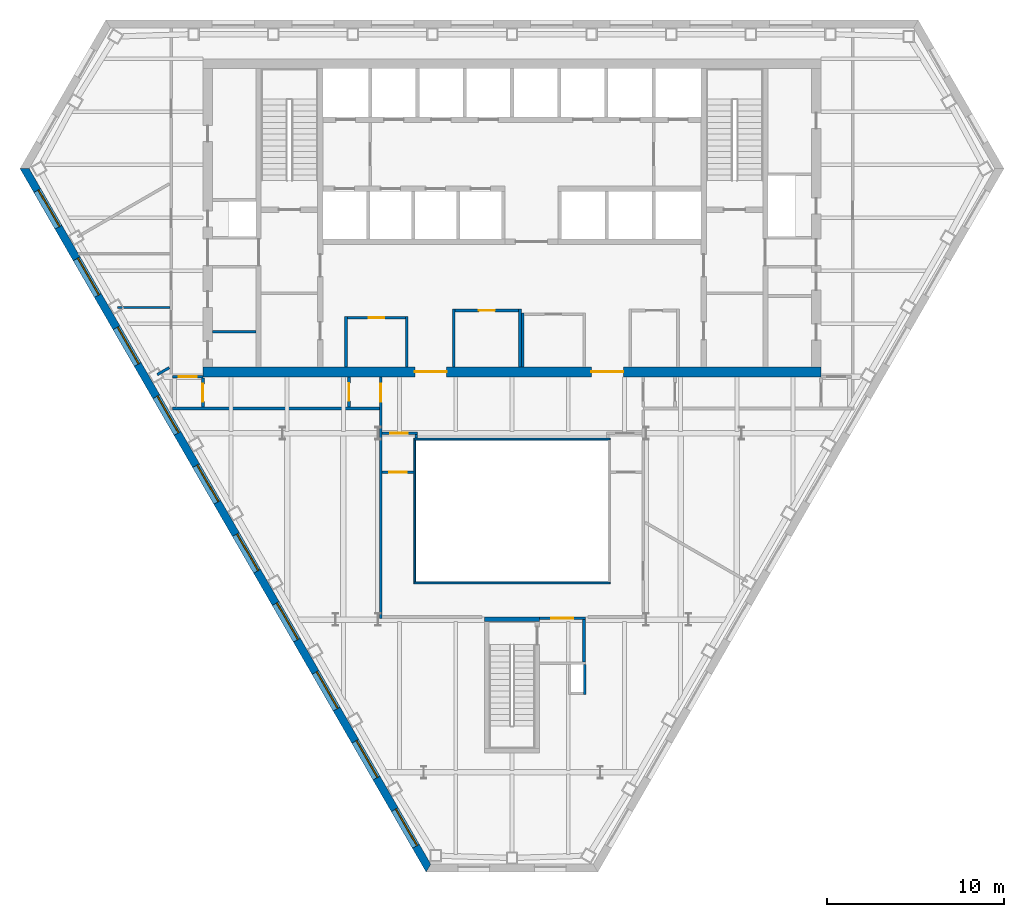
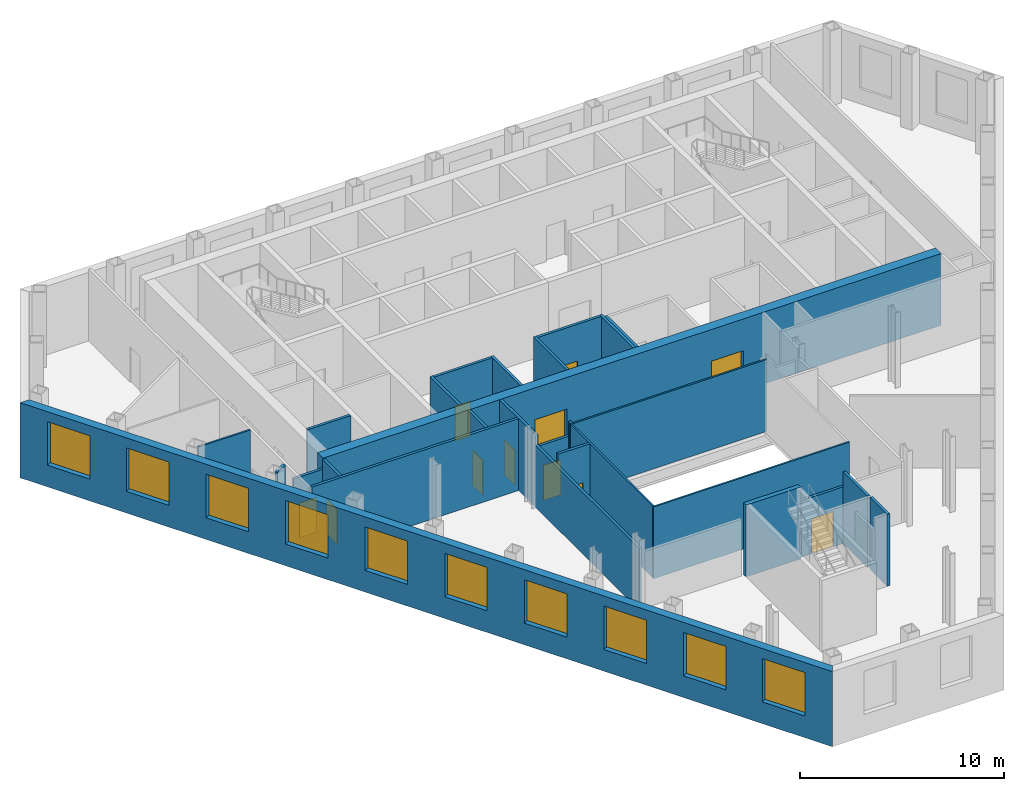
# One storey, part 4 of 11: 28 walls, 11 doors, 10 windows, 21 openings.
"""IFC4 building model written with IfcOpenShell, lengths in metres."""

import ifcopenshell
import ifcopenshell.guid

model = None  # the IFC model being written
_history = None  # IfcOwnerHistory: only IFC2X3 demands one
_inside = {}  # id of a spatial element -> (the spatial element, [elements in it])
_under = {}  # id of a project, library or spatial element -> (it, [spatial elements below it])
_declared = {}  # id of a project -> (the project, [libraries it declares])
_typed = {}  # id of a type object -> (the type object, [elements of that type])
_made_of = {}  # id of a material, layer set ... -> (it, [elements and type objects made of it])


def new_model(schema):
    """Start an empty IFC model of exactly this schema.

    Asked for "IFC4X3", IfcOpenShell would pick the latest addendum, in which some entities
    have other attributes; the version numbers below select the first issue.
    IFC2X3 requires an IfcOwnerHistory on every rooted entity: one is made here for all.
    """
    global model, _history
    if schema == "IFC4X3":
        model = ifcopenshell.file(schema_version=(4, 3, 0, 0))
    else:
        model = ifcopenshell.file(schema=schema)
    _inside.clear()
    _under.clear()
    _declared.clear()
    _typed.clear()
    _made_of.clear()
    _history = None
    if model.schema == "IFC2X3":
        org = make("IfcOrganization", Name="unknown")
        user = make(
            "IfcPersonAndOrganization",
            ThePerson=make("IfcPerson", FamilyName="unknown"),
            TheOrganization=org,
        )
        app = make(
            "IfcApplication",
            ApplicationDeveloper=org,
            Version="unknown",
            ApplicationFullName="unknown",
            ApplicationIdentifier="unknown",
        )
        _history = make(
            "IfcOwnerHistory",
            OwningUser=user,
            OwningApplication=app,
            ChangeAction="ADDED",
            CreationDate=0,
        )
    return model


def make(cls, **values):
    """One entity of the class cls with the attributes given. An attribute that is None is left unset."""
    return model.create_entity(
        cls, **{name: value for name, value in values.items() if value is not None}
    )


def rooted(cls, **values):
    """An entity with a GlobalId (a new one), such as an element, a storey or a relation."""
    return make(cls, GlobalId=ifcopenshell.guid.new(), OwnerHistory=_history, **values)


def si_unit(unit_type, name, prefix=None):
    """IfcSIUnit, for example si_unit("LENGTHUNIT", "METRE", prefix="MILLI")."""
    return make("IfcSIUnit", UnitType=unit_type, Prefix=prefix, Name=name)


def assignment(units):
    """IfcUnitAssignment: the units of a project."""
    return None if units is None else make("IfcUnitAssignment", Units=units)


def point(xyz):
    """IfcCartesianPoint."""
    return None if xyz is None else make("IfcCartesianPoint", Coordinates=xyz)


def direction(xyz):
    """IfcDirection."""
    return None if xyz is None else make("IfcDirection", DirectionRatios=xyz)


def frame(location, z_axis=None, x_axis=None):
    """IfcAxis2Placement3D, a coordinate frame: its origin and axes. An axis left out is left unset."""
    return make(
        "IfcAxis2Placement3D",
        Location=point(location),
        Axis=direction(z_axis),
        RefDirection=direction(x_axis),
    )


def frame_2d(location, x_axis=None):
    """IfcAxis2Placement2D, a coordinate frame in the plane: its origin and x axis."""
    return make(
        "IfcAxis2Placement2D", Location=point(location), RefDirection=direction(x_axis)
    )


def origin():
    """The frame at (0, 0, 0) with its axes left unset."""
    return frame((0.0, 0.0, 0.0))


def place(relative_to, where):
    """IfcLocalPlacement: puts the frame where relative to a parent placement (None: the world)."""
    return make(
        "IfcLocalPlacement", PlacementRelTo=relative_to, RelativePlacement=where
    )


def context(
    kind, dimensions, precision=None, world=None, true_north=None, identifier=None
):
    """IfcGeometricRepresentationContext, for example the 3D "Model" context."""
    return make(
        "IfcGeometricRepresentationContext",
        ContextIdentifier=identifier,
        ContextType=kind,
        CoordinateSpaceDimension=dimensions,
        Precision=precision,
        WorldCoordinateSystem=world,
        TrueNorth=true_north,
    )


def subcontext(parent, identifier, kind, view, scale=None):
    """IfcGeometricRepresentationSubContext, for example "Body" below "Model"."""
    return make(
        "IfcGeometricRepresentationSubContext",
        ContextIdentifier=identifier,
        ContextType=kind,
        ParentContext=parent,
        TargetScale=scale,
        TargetView=view,
    )


def project(units=None, contexts=None):
    """IfcProject with its units and contexts."""
    return rooted(
        "IfcProject",
        Name="project",
        RepresentationContexts=contexts,
        UnitsInContext=assignment(units),
    )


def spatial(cls, under=None, at=None, **own):
    """A site, building, storey or space (cls), placed at a placement, below another one or the project."""
    s = rooted(cls, ObjectPlacement=at, **own)
    if under is not None:
        _under.setdefault(under.id(), (under, []))[1].append(s)
    return s


def polyline(points):
    """IfcPolyline through the points."""
    return make("IfcPolyline", Points=[point(p) for p in points])


def profile(cls, at=None, kind="AREA", **sizes):
    """A parametric profile (cls). Its sizes go by their IFC names, for example OverallWidth=200.0."""
    return make(cls, ProfileType=kind, Position=at, **sizes)


def rectangle(**sizes):
    """IfcRectangleProfileDef."""
    return profile("IfcRectangleProfileDef", **sizes)


def outline(outer, holes=None, kind="AREA"):
    """IfcArbitraryClosedProfileDef: a profile drawn as a closed curve; with holes, ...WithVoids."""
    if holes is None:
        return make("IfcArbitraryClosedProfileDef", ProfileType=kind, OuterCurve=outer)
    return make(
        "IfcArbitraryProfileDefWithVoids",
        ProfileType=kind,
        OuterCurve=outer,
        InnerCurves=holes,
    )


def extrude(swept, where, along, depth):
    """IfcExtrudedAreaSolid: the profile swept, set in the frame where, extruded along a direction by depth."""
    return make(
        "IfcExtrudedAreaSolid",
        SweptArea=swept,
        Position=where,
        ExtrudedDirection=direction(along),
        Depth=depth,
    )


def shape(context_of_items, identifier, shape_type, items):
    """IfcShapeRepresentation: the items that make up one representation, for example the "Body"."""
    return make(
        "IfcShapeRepresentation",
        ContextOfItems=context_of_items,
        RepresentationIdentifier=identifier,
        RepresentationType=shape_type,
        Items=items,
    )


def material(Name=None, Category=None):
    """IfcMaterial."""
    return make("IfcMaterial", Name=Name, Category=Category)


def layer(
    of_material, thickness, ventilated=None, Name=None, Category=None, Priority=None
):
    """IfcMaterialLayer: one layer of a wall or slab, of a material (None: an air gap)."""
    return make(
        "IfcMaterialLayer",
        Material=of_material,
        LayerThickness=thickness,
        IsVentilated=ventilated,
        Name=Name,
        Category=Category,
        Priority=Priority,
    )


def layer_set(layers, Name=None):
    """IfcMaterialLayerSet."""
    return make("IfcMaterialLayerSet", MaterialLayers=layers, LayerSetName=Name)


def made_of(thing, what):
    """Note that an element or type object is made of a material, layer set ...; save() writes the relation."""
    if what is not None:
        _made_of.setdefault(what.id(), (what, []))[1].append(thing)
    return thing


def type_object(cls, material=None, **own):
    """A type object (cls), such as IfcWallType, which elements share."""
    return made_of(rooted(cls, **own), material)


def element(
    cls,
    number,
    at=None,
    inside=None,
    cuts=None,
    type_object=None,
    material=None,
    context=None,
    identifier="Body",
    shape_type=None,
    held_by="IfcProductDefinitionShape",
    body=None,
    shapes=None,
    **own,
):
    """One element of the class cls, such as IfcWall. Its Tag is "e" and its number.

    at: its placement. inside: the storey or other place that contains it. cuts: it is an
    opening in that element (IfcRelVoidsElement). A single representation is given by context,
    identifier, shape_type and body (its items); several are given by shapes. held_by: the class
    of the entity that holds the representations. save() writes the other relations.
    """
    e = rooted(cls, Tag="e%d" % number, ObjectPlacement=at, **own)
    if body is not None:
        shapes = [shape(context, identifier, shape_type, body)]
    if shapes is not None:
        e.Representation = make(held_by, Representations=shapes)
    if inside is not None:
        _inside.setdefault(inside.id(), (inside, []))[1].append(e)
    if cuts is not None:
        rooted(
            "IfcRelVoidsElement", RelatingBuildingElement=cuts, RelatedOpeningElement=e
        )
    if type_object is not None:
        _typed.setdefault(type_object.id(), (type_object, []))[1].append(e)
    return made_of(e, material)


def fill(opening, filler):
    """IfcRelFillsElement: the door or window that sits in an opening."""
    return rooted(
        "IfcRelFillsElement",
        RelatingOpeningElement=opening,
        RelatedBuildingElement=filler,
    )


def aggregate(whole, parts):
    """IfcRelAggregates: a whole, such as a stair, and the parts it consists of."""
    return rooted("IfcRelAggregates", RelatingObject=whole, RelatedObjects=parts)


def save(model, path):
    """Write the relations noted so far, then the file.

    IfcRelAggregates (storeys below a building ...), IfcRelContainedInSpatialStructure (elements
    in a storey), IfcRelDefinesByType, IfcRelAssociatesMaterial and IfcRelDeclares: one each for
    every whole, place, type object, material and project.
    """
    for whole, parts in _under.values():
        aggregate(whole, parts)
    for where, things in _inside.values():
        rooted(
            "IfcRelContainedInSpatialStructure",
            RelatedElements=things,
            RelatingStructure=where,
        )
    for kind, things in _typed.values():
        rooted("IfcRelDefinesByType", RelatedObjects=things, RelatingType=kind)
    for what, things in _made_of.values():
        rooted("IfcRelAssociatesMaterial", RelatedObjects=things, RelatingMaterial=what)
    for by, libraries in _declared.values():
        rooted("IfcRelDeclares", RelatingContext=by, RelatedDefinitions=libraries)
    model.write(path)


model = new_model("IFC4")

# Units and contexts
model_context = context("Model", 3, precision=1e-05, world=origin(), true_north=direction((0.0, 1.0)))
body_context = subcontext(model_context, "Body", "Model", "MODEL_VIEW")
ifc_project = project(units=[si_unit("LENGTHUNIT", "METRE"), si_unit("AREAUNIT", "SQUARE_METRE"), si_unit("VOLUMEUNIT", "CUBIC_METRE"), si_unit("PLANEANGLEUNIT", "RADIAN"), si_unit("MASSUNIT", "GRAM", prefix="KILO")], contexts=[model_context])

# Site, building, storey
site_placement = place(None, origin())
site = spatial("IfcSite", under=ifc_project, at=site_placement, CompositionType="ELEMENT")
building_placement = place(site_placement, origin())
building = spatial("IfcBuilding", under=site, at=building_placement, Name="Njiva Tower", CompositionType="ELEMENT")
storey_placement = place(building_placement, frame((0.0, 0.0, 115.8)))
storey = spatial("IfcBuildingStorey", under=building, at=storey_placement, Name="L24", CompositionType="ELEMENT", Elevation=115.8)

# Walls
ifc_material_1 = material(Name="Blockwork", Category="masonry")
ifc_layer_1 = layer(ifc_material_1, 0.15)
ifc_layer_set_1 = layer_set([ifc_layer_1], Name="Blockwork")
wall_type_1 = type_object("IfcWallType", Name="WT1 Compartment partition 150", PredefinedType="PARTITIONING", material=ifc_layer_set_1)
wall_1_placement = place(storey_placement, frame((-16.95, 2.5485, 0.0), z_axis=(0.0, 0.0, 1.0), x_axis=(1.0, 0.0, 0.0)))
element("IfcWall", 1, at=wall_1_placement, inside=storey, type_object=wall_type_1, Name="Partition strip W00", PredefinedType="PARTITIONING", context=body_context, shape_type="SweptSolid", body=[
    extrude(rectangle(XDim=2.45, YDim=0.15, at=frame_2d((1.225, 0.0))), origin(), (0.0, 0.0, 1.0), 4.3),
])
for number, where, z_axis, x_axis, name in (
    (2, (-9.4, 0.55, 0.0), (0.0, 0.0, 1.0), (0.0, 1.0, 0.0), "Parcel room wall west"),
    (3, (-5.95, 0.55, 0.0), (0.0, 0.0, 1.0), (0.0, 1.0, 0.0), "Parcel room wall east"),
):
    element("IfcWall", number, at=place(storey_placement, frame(where, z_axis=z_axis, x_axis=x_axis)), inside=storey, type_object=wall_type_1, Name=name, PredefinedType="PARTITIONING", context=body_context, shape_type="SweptSolid", body=[
        extrude(rectangle(XDim=2.875, YDim=0.15, at=frame_2d((1.4375, 0.0))), origin(), (0.0, 0.0, 1.0), 4.3),
    ])

# Wall, opening, door
wall_2_placement = place(storey_placement, frame((-9.325, 3.35, 0.0), z_axis=(0.0, 0.0, 1.0), x_axis=(1.0, 0.0, 0.0)))
wall_2 = element("IfcWall", 4, at=wall_2_placement, inside=storey, type_object=wall_type_1, Name="Parcel room wall north", PredefinedType="PARTITIONING", context=body_context, shape_type="SweptSolid", body=[
    extrude(rectangle(XDim=3.3, YDim=0.15, at=frame_2d((1.65, 0.0))), origin(), (0.0, 0.0, 1.0), 4.3),
])
opening_1_placement = place(wall_2_placement, frame((1.2, 0.0, 0.0)))
opening_1 = element("IfcOpeningElement", 5, at=opening_1_placement, cuts=wall_2, Name="Opening S08-D932", PredefinedType="OPENING", context=body_context, shape_type="SweptSolid", body=[
    extrude(rectangle(XDim=0.9, YDim=2.1, at=frame_2d((0.45, 1.05))), frame((0.0, 0.085, 0.0), z_axis=(0.0, -1.0, 0.0), x_axis=(1.0, 0.0, 0.0)), (0.0, 0.0, 1.0), 0.17),
])
ifc_material_2 = material(Name="Steel fire door, painted", Category="steel")
door_type_1 = type_object("IfcDoorType", Name="D6 Fire-rated door 900x2100", OperationType="SINGLE_SWING_LEFT", PredefinedType="DOOR", material=ifc_material_2)
door_1_placement = place(opening_1_placement, origin())
door_1 = element("IfcDoor", 6, at=door_1_placement, inside=storey, type_object=door_type_1, Name="Parcel room door", OperationType="SINGLE_SWING_RIGHT", OverallHeight=2.1, OverallWidth=0.9, PredefinedType="DOOR", context=body_context, shape_type="SweptSolid", body=[
    extrude(rectangle(XDim=0.9, YDim=2.1, at=frame_2d((0.45, 1.05))), frame((0.0, 0.025, 0.0), z_axis=(0.0, -1.0, 0.0), x_axis=(1.0, 0.0, 0.0)), (0.0, 0.0, 1.0), 0.05),
])
fill(opening_1, door_1)

# Walls
for number, where, z_axis, x_axis, name in (
    (7, (-3.3, 0.55, 0.0), (0.0, 0.0, 1.0), (0.0, 1.0, 0.0), "Security office wall west"),
    (8, (0.45, 0.55, 0.0), (0.0, 0.0, 1.0), (0.0, 1.0, 0.0), "Security office wall east"),
):
    element("IfcWall", number, at=place(storey_placement, frame(where, z_axis=z_axis, x_axis=x_axis)), inside=storey, type_object=wall_type_1, Name=name, PredefinedType="PARTITIONING", context=body_context, shape_type="SweptSolid", body=[
        extrude(rectangle(XDim=3.275, YDim=0.15, at=frame_2d((1.6375, 0.0))), origin(), (0.0, 0.0, 1.0), 4.3),
    ])

# Wall, opening, door
wall_3_placement = place(storey_placement, frame((-3.225, 3.75, 0.0), z_axis=(0.0, 0.0, 1.0), x_axis=(1.0, 0.0, 0.0)))
wall_3 = element("IfcWall", 9, at=wall_3_placement, inside=storey, type_object=wall_type_1, Name="Security office wall north", PredefinedType="PARTITIONING", context=body_context, shape_type="SweptSolid", body=[
    extrude(rectangle(XDim=3.6, YDim=0.15, at=frame_2d((1.8, 0.0))), origin(), (0.0, 0.0, 1.0), 4.3),
])
opening_2_placement = place(wall_3_placement, frame((1.35, 0.0, 0.0)))
opening_2 = element("IfcOpeningElement", 10, at=opening_2_placement, cuts=wall_3, Name="Opening S08-D933", PredefinedType="OPENING", context=body_context, shape_type="SweptSolid", body=[
    extrude(rectangle(XDim=0.9, YDim=2.1, at=frame_2d((0.45, 1.05))), frame((0.0, 0.085, 0.0), z_axis=(0.0, -1.0, 0.0), x_axis=(1.0, 0.0, 0.0)), (0.0, 0.0, 1.0), 0.17),
])
door_2_placement = place(opening_2_placement, origin())
door_2 = element("IfcDoor", 11, at=door_2_placement, inside=storey, type_object=door_type_1, Name="Security office door", OperationType="SINGLE_SWING_LEFT", OverallHeight=2.1, OverallWidth=0.9, PredefinedType="DOOR", context=body_context, shape_type="SweptSolid", body=[
    extrude(rectangle(XDim=0.9, YDim=2.1, at=frame_2d((0.45, 1.05))), frame((0.0, 0.025, 0.0), z_axis=(0.0, -1.0, 0.0), x_axis=(1.0, 0.0, 0.0)), (0.0, 0.0, 1.0), 0.05),
])
fill(opening_2, door_2)

# Wall
wall_4_placement = place(storey_placement, frame((0.6, 0.55, 0.0), z_axis=(0.0, 0.0, 1.0), x_axis=(0.0, 1.0, 0.0)))
element("IfcWall", 12, at=wall_4_placement, inside=storey, type_object=wall_type_1, Name="Concierge office wall west", PredefinedType="PARTITIONING", context=body_context, shape_type="SweptSolid", body=[
    extrude(rectangle(XDim=3.075, YDim=0.15, at=frame_2d((1.5375, 0.0))), origin(), (0.0, 0.0, 1.0), 4.3),
])

# Wall, openings, doors
ifc_material_3 = material(Name="Concrete C60/75", Category="concrete")
ifc_layer_2 = layer(ifc_material_3, 0.55)
ifc_layer_set_2 = layer_set([ifc_layer_2], Name="Concrete C60/75")
wall_type_2 = type_object("IfcWallType", Name="WT14 Core wall 550", PredefinedType="SHEAR", material=ifc_layer_set_2)
wall_5_placement = place(storey_placement, frame((-17.5, 0.275, 0.0), z_axis=(0.0, 0.0, 1.0), x_axis=(1.0, 0.0, 0.0)))
wall_5 = element("IfcWall", 13, at=wall_5_placement, inside=storey, type_object=wall_type_2, Name="Core wall south", PredefinedType="SHEAR", context=body_context, shape_type="SweptSolid", body=[
    extrude(rectangle(XDim=35.0, YDim=0.55, at=frame_2d((17.5, 0.0))), origin(), (0.0, 0.0, 1.0), 4.3),
])
opening_3_placement = place(wall_5_placement, frame((12.0, 0.0, 0.0)))
opening_3 = element("IfcOpeningElement", 14, at=opening_3_placement, cuts=wall_5, Name="Opening S08-D937", PredefinedType="OPENING", context=body_context, shape_type="SweptSolid", body=[
    extrude(rectangle(XDim=1.8, YDim=2.4, at=frame_2d((0.9, 1.2))), frame((0.0, 0.285, 0.0), z_axis=(0.0, -1.0, 0.0), x_axis=(1.0, 0.0, 0.0)), (0.0, 0.0, 1.0), 0.57),
])
opening_4_placement = place(wall_5_placement, frame((22.0, 0.0, 0.0)))
opening_4 = element("IfcOpeningElement", 15, at=opening_4_placement, cuts=wall_5, Name="Opening S08-D938", PredefinedType="OPENING", context=body_context, shape_type="SweptSolid", body=[
    extrude(rectangle(XDim=1.8, YDim=2.4, at=frame_2d((0.9, 1.2))), frame((0.0, 0.285, 0.0), z_axis=(0.0, -1.0, 0.0), x_axis=(1.0, 0.0, 0.0)), (0.0, 0.0, 1.0), 0.57),
])
ifc_material_4 = material(Name="Steel and glass door", Category="steel")
door_type_2 = type_object("IfcDoorType", Name="D3 Core entrance door 1800x2400", OperationType="DOUBLE_DOOR_SINGLE_SWING", PredefinedType="DOOR", material=ifc_material_4)
door_3_placement = place(opening_3_placement, origin())
door_3 = element("IfcDoor", 16, at=door_3_placement, inside=storey, type_object=door_type_2, Name="Core entrance door", OperationType="DOUBLE_DOOR_SINGLE_SWING", OverallHeight=2.4, OverallWidth=1.8, PredefinedType="DOOR", context=body_context, shape_type="SweptSolid", body=[
    extrude(rectangle(XDim=1.8, YDim=2.4, at=frame_2d((0.9, 1.2))), frame((0.0, 0.025, 0.0), z_axis=(0.0, -1.0, 0.0), x_axis=(1.0, 0.0, 0.0)), (0.0, 0.0, 1.0), 0.05),
])
fill(opening_3, door_3)
door_4_placement = place(opening_4_placement, origin())
door_4 = element("IfcDoor", 17, at=door_4_placement, inside=storey, type_object=door_type_2, Name="Core entrance door", OperationType="DOUBLE_DOOR_SINGLE_SWING", OverallHeight=2.4, OverallWidth=1.8, PredefinedType="DOOR", context=body_context, shape_type="SweptSolid", body=[
    extrude(rectangle(XDim=1.8, YDim=2.4, at=frame_2d((0.9, 1.2))), frame((0.0, 0.025, 0.0), z_axis=(0.0, -1.0, 0.0), x_axis=(1.0, 0.0, 0.0)), (0.0, 0.0, 1.0), 0.05),
])
fill(opening_4, door_4)

# Walls
ifc_material_5 = material(Name="Gypsum board on steel studs", Category="gypsum")
ifc_layer_3 = layer(ifc_material_5, 0.1)
ifc_layer_set_3 = layer_set([ifc_layer_3], Name="Gypsum board on steel studs")
wall_type_3 = type_object("IfcWallType", Name="WT20 Gypsum partition 100", PredefinedType="PARTITIONING", material=ifc_layer_set_3)
wall_6_placement = place(storey_placement, frame((-22.325, 3.925, 0.0), z_axis=(0.0, 0.0, 1.0), x_axis=(0.999998563634, -0.00169491282, 0.0)))
element("IfcWall", 18, at=wall_6_placement, inside=storey, type_object=wall_type_3, Name="Partition S08-P003", PredefinedType="PARTITIONING", context=body_context, shape_type="SweptSolid", body=[
    extrude(rectangle(XDim=2.95, YDim=0.1, at=frame_2d((1.475, 0.0))), origin(), (0.0, 0.0, 1.0), 4.3),
])
ifc_layer_4 = layer(ifc_material_5, 0.15)
ifc_layer_set_4 = layer_set([ifc_layer_4], Name="Gypsum board on steel studs")
wall_type_4 = type_object("IfcWallType", Name="WT21 Compartment wall 150", PredefinedType="PARTITIONING", material=ifc_layer_set_4)
wall_7_placement = place(storey_placement, frame((-20.085, 0.124, 0.0), z_axis=(0.0, 0.0, 1.0), x_axis=(0.86633556233, 0.499462404434, 0.0)))
element("IfcWall", 19, at=wall_7_placement, inside=storey, type_object=wall_type_4, Name="Partition S08-P004", PredefinedType="PARTITIONING", context=body_context, shape_type="SweptSolid", body=[
    extrude(rectangle(XDim=0.7768, YDim=0.15, at=frame_2d((0.3884, 0.0))), origin(), (0.0, 0.0, 1.0), 4.3),
])
wall_8_placement = place(storey_placement, frame((-19.225, -1.8, 0.0), z_axis=(0.0, 0.0, 1.0), x_axis=(1.0, 0.0, 0.0)))
element("IfcWall", 20, at=wall_8_placement, inside=storey, type_object=wall_type_4, Name="Partition S08-P006", PredefinedType="PARTITIONING", context=body_context, shape_type="SweptSolid", body=[
    extrude(rectangle(XDim=11.72, YDim=0.15, at=frame_2d((5.86, 0.0))), origin(), (0.0, 0.0, 1.0), 4.3),
])

# Wall, opening, door
wall_9_placement = place(storey_placement, frame((-19.225, 0.0, 0.0), z_axis=(0.0, 0.0, 1.0), x_axis=(1.0, 0.0, 0.0)))
wall_9 = element("IfcWall", 21, at=wall_9_placement, inside=storey, type_object=wall_type_4, Name="Partition S08-P007", PredefinedType="PARTITIONING", context=body_context, shape_type="SweptSolid", body=[
    extrude(rectangle(XDim=1.725, YDim=0.15, at=frame_2d((0.8625, 0.0))), origin(), (0.0, 0.0, 1.0), 3.7),
])
opening_5_placement = place(wall_9_placement, frame((0.363, 0.0, 0.0)))
opening_5 = element("IfcOpeningElement", 22, at=opening_5_placement, cuts=wall_9, Name="Opening S08-D005", PredefinedType="OPENING", context=body_context, shape_type="SweptSolid", body=[
    extrude(rectangle(XDim=1.0, YDim=2.1, at=frame_2d((0.5, 1.05))), frame((0.0, 0.085, 0.0), z_axis=(0.0, -1.0, 0.0), x_axis=(1.0, 0.0, 0.0)), (0.0, 0.0, 1.0), 0.17),
])
ifc_material_6 = material(Name="Steel fire door set", Category="steel")
door_type_3 = type_object("IfcDoorType", Name="D37 Fire door 1000x2100", OperationType="SINGLE_SWING_LEFT", PredefinedType="DOOR", material=ifc_material_6)
door_5_placement = place(opening_5_placement, origin())
door_5 = element("IfcDoor", 23, at=door_5_placement, inside=storey, type_object=door_type_3, Name="Door S08-D005", OperationType="SINGLE_SWING_LEFT", OverallHeight=2.1, OverallWidth=1.0, PredefinedType="DOOR", context=body_context, shape_type="SweptSolid", body=[
    extrude(rectangle(XDim=1.0, YDim=2.1, at=frame_2d((0.5, 1.05))), frame((0.0, 0.025, 0.0), z_axis=(0.0, -1.0, 0.0), x_axis=(1.0, 0.0, 0.0)), (0.0, 0.0, 1.0), 0.05),
])
fill(opening_5, door_5)

wall_10_placement = place(storey_placement, frame((-17.5, -1.725, 0.0), z_axis=(0.0, 0.0, 1.0), x_axis=(0.0, 1.0, 0.0)))
wall_10 = element("IfcWall", 24, at=wall_10_placement, inside=storey, type_object=wall_type_4, Name="Partition S08-P008", PredefinedType="PARTITIONING", context=body_context, shape_type="SweptSolid", body=[
    extrude(rectangle(XDim=1.65, YDim=0.15, at=frame_2d((0.825, 0.0))), origin(), (0.0, 0.0, 1.0), 4.3),
])
opening_6_placement = place(wall_10_placement, frame((0.325, 0.0, 0.0)))
opening_6 = element("IfcOpeningElement", 25, at=opening_6_placement, cuts=wall_10, Name="Opening S08-D006", PredefinedType="OPENING", context=body_context, shape_type="SweptSolid", body=[
    extrude(rectangle(XDim=1.0, YDim=2.1, at=frame_2d((0.5, 1.05))), frame((0.0, 0.085, 0.0), z_axis=(0.0, -1.0, 0.0), x_axis=(1.0, 0.0, 0.0)), (0.0, 0.0, 1.0), 0.17),
])
door_6_placement = place(opening_6_placement, origin())
door_6 = element("IfcDoor", 26, at=door_6_placement, inside=storey, type_object=door_type_3, Name="Door S08-D006", OperationType="SINGLE_SWING_LEFT", OverallHeight=2.1, OverallWidth=1.0, PredefinedType="DOOR", context=body_context, shape_type="SweptSolid", body=[
    extrude(rectangle(XDim=1.0, YDim=2.1, at=frame_2d((0.5, 1.05))), frame((0.0, 0.025, 0.0), z_axis=(0.0, -1.0, 0.0), x_axis=(1.0, 0.0, 0.0)), (0.0, 0.0, 1.0), 0.05),
])
fill(opening_6, door_6)

wall_11_placement = place(storey_placement, frame((-9.23, -1.725, 0.0), z_axis=(0.0, 0.0, 1.0), x_axis=(0.0, 1.0, 0.0)))
wall_11 = element("IfcWall", 27, at=wall_11_placement, inside=storey, type_object=wall_type_4, Name="Partition S08-P009", PredefinedType="PARTITIONING", context=body_context, shape_type="SweptSolid", body=[
    extrude(rectangle(XDim=1.725, YDim=0.15, at=frame_2d((0.8625, 0.0))), origin(), (0.0, 0.0, 1.0), 4.3),
])
opening_7_placement = place(wall_11_placement, frame((0.363, 0.0, 0.0)))
opening_7 = element("IfcOpeningElement", 28, at=opening_7_placement, cuts=wall_11, Name="Opening S08-D007", PredefinedType="OPENING", context=body_context, shape_type="SweptSolid", body=[
    extrude(rectangle(XDim=1.0, YDim=2.1, at=frame_2d((0.5, 1.05))), frame((0.0, 0.085, 0.0), z_axis=(0.0, -1.0, 0.0), x_axis=(1.0, 0.0, 0.0)), (0.0, 0.0, 1.0), 0.17),
])
door_7_placement = place(opening_7_placement, origin())
door_7 = element("IfcDoor", 29, at=door_7_placement, inside=storey, type_object=door_type_3, Name="Door S08-D007", OperationType="SINGLE_SWING_LEFT", OverallHeight=2.1, OverallWidth=1.0, PredefinedType="DOOR", context=body_context, shape_type="SweptSolid", body=[
    extrude(rectangle(XDim=1.0, YDim=2.1, at=frame_2d((0.5, 1.05))), frame((0.0, 0.025, 0.0), z_axis=(0.0, -1.0, 0.0), x_axis=(1.0, 0.0, 0.0)), (0.0, 0.0, 1.0), 0.05),
])
fill(opening_7, door_7)

# Wall
wall_12_placement = place(storey_placement, frame((-7.43, -13.675, 0.0), z_axis=(0.0, 0.0, 1.0), x_axis=(0.0, 1.0, 0.0)))
element("IfcWall", 30, at=wall_12_placement, inside=storey, type_object=wall_type_4, Name="Partition S08-P010", PredefinedType="PARTITIONING", context=body_context, shape_type="SweptSolid", body=[
    extrude(rectangle(XDim=10.167, YDim=0.15, at=frame_2d((5.0835, 0.0))), origin(), (0.0, 0.0, 1.0), 3.7),
])

# Wall, opening, door
wall_13_placement = place(storey_placement, frame((-7.43, -3.508, 0.0), z_axis=(0.0, 0.0, 1.0), x_axis=(0.0, 1.0, 0.0)))
wall_13 = element("IfcWall", 31, at=wall_13_placement, inside=storey, type_object=wall_type_4, Name="Partition S08-P010A", PredefinedType="PARTITIONING", context=body_context, shape_type="SweptSolid", body=[
    extrude(rectangle(XDim=3.508, YDim=0.15, at=frame_2d((1.754, 0.0))), origin(), (0.0, 0.0, 1.0), 4.3),
])
opening_8_placement = place(wall_13_placement, frame((2.108, 0.0, 0.0)))
opening_8 = element("IfcOpeningElement", 32, at=opening_8_placement, cuts=wall_13, Name="Opening S08-D008", PredefinedType="OPENING", context=body_context, shape_type="SweptSolid", body=[
    extrude(rectangle(XDim=1.0, YDim=2.1, at=frame_2d((0.5, 1.05))), frame((0.0, 0.085, 0.0), z_axis=(0.0, -1.0, 0.0), x_axis=(1.0, 0.0, 0.0)), (0.0, 0.0, 1.0), 0.17),
])
door_8_placement = place(opening_8_placement, origin())
door_8 = element("IfcDoor", 33, at=door_8_placement, inside=storey, type_object=door_type_3, Name="Door S08-D008", OperationType="SINGLE_SWING_LEFT", OverallHeight=2.1, OverallWidth=1.0, PredefinedType="DOOR", context=body_context, shape_type="SweptSolid", body=[
    extrude(rectangle(XDim=1.0, YDim=2.1, at=frame_2d((0.5, 1.05))), frame((0.0, 0.025, 0.0), z_axis=(0.0, -1.0, 0.0), x_axis=(1.0, 0.0, 0.0)), (0.0, 0.0, 1.0), 0.05),
])
fill(opening_8, door_8)

wall_14_placement = place(storey_placement, frame((-7.355, -5.4, 0.0), z_axis=(0.0, 0.0, 1.0), x_axis=(1.0, 0.0, 0.0)))
wall_14 = element("IfcWall", 34, at=wall_14_placement, inside=storey, type_object=wall_type_4, Name="Partition S08-P012", PredefinedType="PARTITIONING", context=body_context, shape_type="SweptSolid", body=[
    extrude(rectangle(XDim=1.805, YDim=0.15, at=frame_2d((0.9025, 0.0))), origin(), (0.0, 0.0, 1.0), 4.3),
])
opening_9_placement = place(wall_14_placement, frame((0.402, 0.0, 0.0)))
opening_9 = element("IfcOpeningElement", 35, at=opening_9_placement, cuts=wall_14, Name="Opening S08-D009", PredefinedType="OPENING", context=body_context, shape_type="SweptSolid", body=[
    extrude(rectangle(XDim=1.0, YDim=2.1, at=frame_2d((0.5, 1.05))), frame((0.0, 0.085, 0.0), z_axis=(0.0, -1.0, 0.0), x_axis=(1.0, 0.0, 0.0)), (0.0, 0.0, 1.0), 0.17),
])
door_9_placement = place(opening_9_placement, origin())
door_9 = element("IfcDoor", 36, at=door_9_placement, inside=storey, type_object=door_type_3, Name="Door S08-D009", OperationType="SINGLE_SWING_RIGHT", OverallHeight=2.1, OverallWidth=1.0, PredefinedType="DOOR", context=body_context, shape_type="SweptSolid", body=[
    extrude(rectangle(XDim=1.0, YDim=2.1, at=frame_2d((0.5, 1.05))), frame((0.0, 0.025, 0.0), z_axis=(0.0, -1.0, 0.0), x_axis=(1.0, 0.0, 0.0)), (0.0, 0.0, 1.0), 0.05),
])
fill(opening_9, door_9)

wall_15_placement = place(storey_placement, frame((-7.355, -3.2, 0.0), z_axis=(0.0, 0.0, 1.0), x_axis=(1.0, 0.0, 0.0)))
wall_15 = element("IfcWall", 37, at=wall_15_placement, inside=storey, type_object=wall_type_4, Name="Partition S08-P013", PredefinedType="PARTITIONING", context=body_context, shape_type="SweptSolid", body=[
    extrude(rectangle(XDim=2.0, YDim=0.15, at=frame_2d((1.0, 0.0))), origin(), (0.0, 0.0, 1.0), 3.39),
])
opening_10_placement = place(wall_15_placement, frame((0.462, 0.0, 0.0)))
opening_10 = element("IfcOpeningElement", 38, at=opening_10_placement, cuts=wall_15, Name="Opening S08-D010", PredefinedType="OPENING", context=body_context, shape_type="SweptSolid", body=[
    extrude(rectangle(XDim=1.0, YDim=2.1, at=frame_2d((0.5, 1.05))), frame((0.0, 0.085, 0.0), z_axis=(0.0, -1.0, 0.0), x_axis=(1.0, 0.0, 0.0)), (0.0, 0.0, 1.0), 0.17),
])
door_10_placement = place(opening_10_placement, origin())
door_10 = element("IfcDoor", 39, at=door_10_placement, inside=storey, type_object=door_type_3, Name="Door S08-D010", OperationType="SINGLE_SWING_RIGHT", OverallHeight=2.1, OverallWidth=1.0, PredefinedType="DOOR", context=body_context, shape_type="SweptSolid", body=[
    extrude(rectangle(XDim=1.0, YDim=2.1, at=frame_2d((0.5, 1.05))), frame((0.0, 0.025, 0.0), z_axis=(0.0, -1.0, 0.0), x_axis=(1.0, 0.0, 0.0)), (0.0, 0.0, 1.0), 0.05),
])
fill(opening_10, door_10)

# Walls
wall_16_placement = place(storey_placement, frame((-5.43, -3.48, 0.0), z_axis=(0.0, 0.0, 1.0), x_axis=(0.0, 1.0, 0.0)))
element("IfcWall", 40, at=wall_16_placement, inside=storey, type_object=wall_type_4, Name="Partition S08-P014", PredefinedType="PARTITIONING", context=body_context, shape_type="SweptSolid", body=[
    extrude(rectangle(XDim=0.205, YDim=0.15, at=frame_2d((0.1025, 0.0))), origin(), (0.0, 0.0, 1.0), 4.3),
])
ifc_layer_5 = layer(ifc_material_1, 0.15)
ifc_layer_set_5 = layer_set([ifc_layer_5], Name="Blockwork")
wall_type_5 = type_object("IfcWallType", Name="WT4 Stair partition 150", PredefinedType="PARTITIONING", material=ifc_layer_set_5)
wall_17_placement = place(storey_placement, frame((4.075, -16.15, 0.0), z_axis=(0.0, 0.0, 1.0), x_axis=(0.0, 1.0, 0.0)))
element("IfcWall", 41, at=wall_17_placement, inside=storey, type_object=wall_type_5, Name="Stair C vestibule wall east", PredefinedType="PARTITIONING", context=body_context, shape_type="SweptSolid", body=[
    extrude(rectangle(XDim=2.4, YDim=0.15, at=frame_2d((1.2, 0.0))), origin(), (0.0, 0.0, 1.0), 4.3),
])

# Wall, opening, door
wall_18_placement = place(storey_placement, frame((1.55, -13.675, 0.0), z_axis=(0.0, 0.0, 1.0), x_axis=(1.0, 0.0, 0.0)))
wall_18 = element("IfcWall", 42, at=wall_18_placement, inside=storey, type_object=wall_type_5, Name="Stair C vestibule wall north", PredefinedType="PARTITIONING", context=body_context, shape_type="SweptSolid", body=[
    extrude(rectangle(XDim=2.6, YDim=0.15, at=frame_2d((1.3, 0.0))), origin(), (0.0, 0.0, 1.0), 3.39),
])
opening_11_placement = place(wall_18_placement, frame((0.675, 0.0, 0.0)))
opening_11 = element("IfcOpeningElement", 43, at=opening_11_placement, cuts=wall_18, Name="Opening S08-D940", PredefinedType="OPENING", context=body_context, shape_type="SweptSolid", body=[
    extrude(rectangle(XDim=1.25, YDim=2.1, at=frame_2d((0.625, 1.05))), frame((0.0, 0.085, 0.0), z_axis=(0.0, -1.0, 0.0), x_axis=(1.0, 0.0, 0.0)), (0.0, 0.0, 1.0), 0.17),
])
ifc_material_7 = material(Name="Glazed steel fire door", Category="steel")
door_type_4 = type_object("IfcDoorType", Name="D8 Vestibule corridor door 1250x2100 glazed", OperationType="SINGLE_SWING_LEFT", PredefinedType="DOOR", material=ifc_material_7)
door_11_placement = place(opening_11_placement, origin())
door_11 = element("IfcDoor", 44, at=door_11_placement, inside=storey, type_object=door_type_4, Name="Stair vestibule corridor door", OperationType="SINGLE_SWING_RIGHT", OverallHeight=2.1, OverallWidth=1.25, PredefinedType="DOOR", context=body_context, shape_type="SweptSolid", body=[
    extrude(rectangle(XDim=1.25, YDim=2.1, at=frame_2d((0.625, 1.05))), frame((0.0, 0.025, 0.0), z_axis=(0.0, -1.0, 0.0), x_axis=(1.0, 0.0, 0.0)), (0.0, 0.0, 1.0), 0.05),
])
fill(opening_11, door_11)

# Walls
wall_19_placement = place(storey_placement, frame((4.125, -18.0, 0.0), z_axis=(0.0, 0.0, 1.0), x_axis=(0.0, 1.0, 0.0)))
element("IfcWall", 45, at=wall_19_placement, inside=storey, type_object=wall_type_5, Name="Stair C pressurisation shaft wall", PredefinedType="PARTITIONING", context=body_context, shape_type="SweptSolid", body=[
    extrude(rectangle(XDim=1.7, YDim=0.15, at=frame_2d((0.85, 0.0))), origin(), (0.0, 0.0, 1.0), 4.3),
])
ifc_material_8 = material(Name="Concrete C40/50", Category="concrete")
ifc_layer_6 = layer(ifc_material_8, 0.25)
ifc_layer_set_6 = layer_set([ifc_layer_6], Name="Concrete C40/50")
wall_type_6 = type_object("IfcWallType", Name="WT9 Stair enclosure wall 250", PredefinedType="SHEAR", material=ifc_layer_set_6)
wall_20_placement = place(storey_placement, frame((-1.55, -13.725, 0.0), z_axis=(0.0, 0.0, 1.0), x_axis=(1.0, 0.0, 0.0)))
element("IfcWall", 46, at=wall_20_placement, inside=storey, type_object=wall_type_6, Name="Stair C wall north", PredefinedType="SHEAR", context=body_context, shape_type="SweptSolid", body=[
    extrude(rectangle(XDim=3.1, YDim=0.25, at=frame_2d((1.55, 0.0))), origin(), (0.0, 0.0, 1.0), 4.3),
])

# Wall, openings, windows
ifc_material_9 = material(Name="Brick masonry", Category="masonry")
ifc_layer_7 = layer(ifc_material_9, 0.45)
ifc_layer_set_7 = layer_set([ifc_layer_7], Name="Brick masonry")
wall_type_7 = type_object("IfcWallType", Name="WT90 Brick pier and spandrel wall 450", PredefinedType="SOLIDWALL", material=ifc_layer_set_7)
wall_21_placement = place(storey_placement, frame((-27.5952, 11.7822, -0.4), z_axis=(0.0, 0.0, 1.0), x_axis=(0.500000141277, -0.866025322218, 0.0)))
wall_21 = element("IfcWall", 47, at=wall_21_placement, inside=storey, type_object=wall_type_7, Name="Facade wall SW", PredefinedType="SOLIDWALL", context=body_context, shape_type="SweptSolid", body=[
    extrude(outline(polyline([(-0.1299, -0.225), (45.8601, -0.225), (45.6003, 0.225), (0.1299, 0.225), (-0.1299, -0.225)])), origin(), (0.0, 0.0, 1.0), 4.5),
])
opening_12_placement = place(wall_21_placement, frame((1.4237, 0.0, 1.3)))
opening_12 = element("IfcOpeningElement", 48, at=opening_12_placement, cuts=wall_21, Name="Opening S08-W11", PredefinedType="OPENING", context=body_context, shape_type="SweptSolid", body=[
    extrude(rectangle(XDim=2.4, YDim=2.6, at=frame_2d((1.2, 1.3))), frame((0.0, 0.235, 0.0), z_axis=(0.0, -1.0, 0.0), x_axis=(1.0, 0.0, 0.0)), (0.0, 0.0, 1.0), 0.47),
])
opening_13_placement = place(wall_21_placement, frame((5.8919, 0.0, 1.3)))
opening_13 = element("IfcOpeningElement", 49, at=opening_13_placement, cuts=wall_21, Name="Opening S08-W12", PredefinedType="OPENING", context=body_context, shape_type="SweptSolid", body=[
    extrude(rectangle(XDim=2.4, YDim=2.6, at=frame_2d((1.2, 1.3))), frame((0.0, 0.235, 0.0), z_axis=(0.0, -1.0, 0.0), x_axis=(1.0, 0.0, 0.0)), (0.0, 0.0, 1.0), 0.47),
])
opening_14_placement = place(wall_21_placement, frame((10.3985, 0.0, 1.3)))
opening_14 = element("IfcOpeningElement", 50, at=opening_14_placement, cuts=wall_21, Name="Opening S08-W13", PredefinedType="OPENING", context=body_context, shape_type="SweptSolid", body=[
    extrude(rectangle(XDim=2.4, YDim=2.6, at=frame_2d((1.2, 1.3))), frame((0.0, 0.235, 0.0), z_axis=(0.0, -1.0, 0.0), x_axis=(1.0, 0.0, 0.0)), (0.0, 0.0, 1.0), 0.47),
])
opening_15_placement = place(wall_21_placement, frame((14.9052, 0.0, 1.3)))
opening_15 = element("IfcOpeningElement", 51, at=opening_15_placement, cuts=wall_21, Name="Opening S08-W14", PredefinedType="OPENING", context=body_context, shape_type="SweptSolid", body=[
    extrude(rectangle(XDim=2.4, YDim=2.6, at=frame_2d((1.2, 1.3))), frame((0.0, 0.235, 0.0), z_axis=(0.0, -1.0, 0.0), x_axis=(1.0, 0.0, 0.0)), (0.0, 0.0, 1.0), 0.47),
])
opening_16_placement = place(wall_21_placement, frame((19.4118, 0.0, 1.3)))
opening_16 = element("IfcOpeningElement", 52, at=opening_16_placement, cuts=wall_21, Name="Opening S08-W15", PredefinedType="OPENING", context=body_context, shape_type="SweptSolid", body=[
    extrude(rectangle(XDim=2.4, YDim=2.6, at=frame_2d((1.2, 1.3))), frame((0.0, 0.235, 0.0), z_axis=(0.0, -1.0, 0.0), x_axis=(1.0, 0.0, 0.0)), (0.0, 0.0, 1.0), 0.47),
])
opening_17_placement = place(wall_21_placement, frame((23.9184, 0.0, 1.3)))
opening_17 = element("IfcOpeningElement", 53, at=opening_17_placement, cuts=wall_21, Name="Opening S08-W16", PredefinedType="OPENING", context=body_context, shape_type="SweptSolid", body=[
    extrude(rectangle(XDim=2.4, YDim=2.6, at=frame_2d((1.2, 1.3))), frame((0.0, 0.235, 0.0), z_axis=(0.0, -1.0, 0.0), x_axis=(1.0, 0.0, 0.0)), (0.0, 0.0, 1.0), 0.47),
])
opening_18_placement = place(wall_21_placement, frame((28.425, 0.0, 1.3)))
opening_18 = element("IfcOpeningElement", 54, at=opening_18_placement, cuts=wall_21, Name="Opening S08-W17", PredefinedType="OPENING", context=body_context, shape_type="SweptSolid", body=[
    extrude(rectangle(XDim=2.4, YDim=2.6, at=frame_2d((1.2, 1.3))), frame((0.0, 0.235, 0.0), z_axis=(0.0, -1.0, 0.0), x_axis=(1.0, 0.0, 0.0)), (0.0, 0.0, 1.0), 0.47),
])
opening_19_placement = place(wall_21_placement, frame((32.9316, 0.0, 1.3)))
opening_19 = element("IfcOpeningElement", 55, at=opening_19_placement, cuts=wall_21, Name="Opening S08-W18", PredefinedType="OPENING", context=body_context, shape_type="SweptSolid", body=[
    extrude(rectangle(XDim=2.4, YDim=2.6, at=frame_2d((1.2, 1.3))), frame((0.0, 0.235, 0.0), z_axis=(0.0, -1.0, 0.0), x_axis=(1.0, 0.0, 0.0)), (0.0, 0.0, 1.0), 0.47),
])
opening_20_placement = place(wall_21_placement, frame((37.4383, 0.0, 1.3)))
opening_20 = element("IfcOpeningElement", 56, at=opening_20_placement, cuts=wall_21, Name="Opening S08-W19", PredefinedType="OPENING", context=body_context, shape_type="SweptSolid", body=[
    extrude(rectangle(XDim=2.4, YDim=2.6, at=frame_2d((1.2, 1.3))), frame((0.0, 0.235, 0.0), z_axis=(0.0, -1.0, 0.0), x_axis=(1.0, 0.0, 0.0)), (0.0, 0.0, 1.0), 0.47),
])
opening_21_placement = place(wall_21_placement, frame((41.9065, 0.0, 1.3)))
opening_21 = element("IfcOpeningElement", 57, at=opening_21_placement, cuts=wall_21, Name="Opening S08-W20", PredefinedType="OPENING", context=body_context, shape_type="SweptSolid", body=[
    extrude(rectangle(XDim=2.4, YDim=2.6, at=frame_2d((1.2, 1.3))), frame((0.0, 0.235, 0.0), z_axis=(0.0, -1.0, 0.0), x_axis=(1.0, 0.0, 0.0)), (0.0, 0.0, 1.0), 0.47),
])
ifc_material_10 = material(Name="Clear glazing in aluminium frame", Category="aluminium")
window_type = type_object("IfcWindowType", Name="W92 Deep-set window 2400x2600", PartitioningType="SINGLE_PANEL", PredefinedType="WINDOW", material=ifc_material_10)
window_1_placement = place(opening_12_placement, origin())
window_1 = element("IfcWindow", 58, at=window_1_placement, inside=storey, type_object=window_type, Name="Window", OverallHeight=2.6, OverallWidth=2.4, PartitioningType="SINGLE_PANEL", PredefinedType="WINDOW", context=body_context, shape_type="SweptSolid", body=[
    extrude(rectangle(XDim=2.4, YDim=2.6, at=frame_2d((1.2, 1.3))), frame((0.0, 0.105, 0.0), z_axis=(0.0, -1.0, 0.0), x_axis=(1.0, 0.0, 0.0)), (0.0, 0.0, 1.0), 0.06),
])
fill(opening_12, window_1)
window_2_placement = place(opening_13_placement, origin())
window_2 = element("IfcWindow", 59, at=window_2_placement, inside=storey, type_object=window_type, Name="Window", OverallHeight=2.6, OverallWidth=2.4, PartitioningType="SINGLE_PANEL", PredefinedType="WINDOW", context=body_context, shape_type="SweptSolid", body=[
    extrude(rectangle(XDim=2.4, YDim=2.6, at=frame_2d((1.2, 1.3))), frame((0.0, 0.105, 0.0), z_axis=(0.0, -1.0, 0.0), x_axis=(1.0, 0.0, 0.0)), (0.0, 0.0, 1.0), 0.06),
])
fill(opening_13, window_2)
window_3_placement = place(opening_14_placement, origin())
window_3 = element("IfcWindow", 60, at=window_3_placement, inside=storey, type_object=window_type, Name="Window", OverallHeight=2.6, OverallWidth=2.4, PartitioningType="SINGLE_PANEL", PredefinedType="WINDOW", context=body_context, shape_type="SweptSolid", body=[
    extrude(rectangle(XDim=2.4, YDim=2.6, at=frame_2d((1.2, 1.3))), frame((0.0, 0.105, 0.0), z_axis=(0.0, -1.0, 0.0), x_axis=(1.0, 0.0, 0.0)), (0.0, 0.0, 1.0), 0.06),
])
fill(opening_14, window_3)
window_4_placement = place(opening_15_placement, origin())
window_4 = element("IfcWindow", 61, at=window_4_placement, inside=storey, type_object=window_type, Name="Window", OverallHeight=2.6, OverallWidth=2.4, PartitioningType="SINGLE_PANEL", PredefinedType="WINDOW", context=body_context, shape_type="SweptSolid", body=[
    extrude(rectangle(XDim=2.4, YDim=2.6, at=frame_2d((1.2, 1.3))), frame((0.0, 0.105, 0.0), z_axis=(0.0, -1.0, 0.0), x_axis=(1.0, 0.0, 0.0)), (0.0, 0.0, 1.0), 0.06),
])
fill(opening_15, window_4)
window_5_placement = place(opening_16_placement, origin())
window_5 = element("IfcWindow", 62, at=window_5_placement, inside=storey, type_object=window_type, Name="Window", OverallHeight=2.6, OverallWidth=2.4, PartitioningType="SINGLE_PANEL", PredefinedType="WINDOW", context=body_context, shape_type="SweptSolid", body=[
    extrude(rectangle(XDim=2.4, YDim=2.6, at=frame_2d((1.2, 1.3))), frame((0.0, 0.105, 0.0), z_axis=(0.0, -1.0, 0.0), x_axis=(1.0, 0.0, 0.0)), (0.0, 0.0, 1.0), 0.06),
])
fill(opening_16, window_5)
window_6_placement = place(opening_17_placement, origin())
window_6 = element("IfcWindow", 63, at=window_6_placement, inside=storey, type_object=window_type, Name="Window", OverallHeight=2.6, OverallWidth=2.4, PartitioningType="SINGLE_PANEL", PredefinedType="WINDOW", context=body_context, shape_type="SweptSolid", body=[
    extrude(rectangle(XDim=2.4, YDim=2.6, at=frame_2d((1.2, 1.3))), frame((0.0, 0.105, 0.0), z_axis=(0.0, -1.0, 0.0), x_axis=(1.0, 0.0, 0.0)), (0.0, 0.0, 1.0), 0.06),
])
fill(opening_17, window_6)
window_7_placement = place(opening_18_placement, origin())
window_7 = element("IfcWindow", 64, at=window_7_placement, inside=storey, type_object=window_type, Name="Window", OverallHeight=2.6, OverallWidth=2.4, PartitioningType="SINGLE_PANEL", PredefinedType="WINDOW", context=body_context, shape_type="SweptSolid", body=[
    extrude(rectangle(XDim=2.4, YDim=2.6, at=frame_2d((1.2, 1.3))), frame((0.0, 0.105, 0.0), z_axis=(0.0, -1.0, 0.0), x_axis=(1.0, 0.0, 0.0)), (0.0, 0.0, 1.0), 0.06),
])
fill(opening_18, window_7)
window_8_placement = place(opening_19_placement, origin())
window_8 = element("IfcWindow", 65, at=window_8_placement, inside=storey, type_object=window_type, Name="Window", OverallHeight=2.6, OverallWidth=2.4, PartitioningType="SINGLE_PANEL", PredefinedType="WINDOW", context=body_context, shape_type="SweptSolid", body=[
    extrude(rectangle(XDim=2.4, YDim=2.6, at=frame_2d((1.2, 1.3))), frame((0.0, 0.105, 0.0), z_axis=(0.0, -1.0, 0.0), x_axis=(1.0, 0.0, 0.0)), (0.0, 0.0, 1.0), 0.06),
])
fill(opening_19, window_8)
window_9_placement = place(opening_20_placement, origin())
window_9 = element("IfcWindow", 66, at=window_9_placement, inside=storey, type_object=window_type, Name="Window", OverallHeight=2.6, OverallWidth=2.4, PartitioningType="SINGLE_PANEL", PredefinedType="WINDOW", context=body_context, shape_type="SweptSolid", body=[
    extrude(rectangle(XDim=2.4, YDim=2.6, at=frame_2d((1.2, 1.3))), frame((0.0, 0.105, 0.0), z_axis=(0.0, -1.0, 0.0), x_axis=(1.0, 0.0, 0.0)), (0.0, 0.0, 1.0), 0.06),
])
fill(opening_20, window_9)
window_10_placement = place(opening_21_placement, origin())
window_10 = element("IfcWindow", 67, at=window_10_placement, inside=storey, type_object=window_type, Name="Window", OverallHeight=2.6, OverallWidth=2.4, PartitioningType="SINGLE_PANEL", PredefinedType="WINDOW", context=body_context, shape_type="SweptSolid", body=[
    extrude(rectangle(XDim=2.4, YDim=2.6, at=frame_2d((1.2, 1.3))), frame((0.0, 0.105, 0.0), z_axis=(0.0, -1.0, 0.0), x_axis=(1.0, 0.0, 0.0)), (0.0, 0.0, 1.0), 0.06),
])
fill(opening_21, window_10)

# Walls
ifc_material_11 = material(Name="Fire-resisting glazing EI 90", Category="glass")
ifc_layer_8 = layer(ifc_material_11, 0.1)
ifc_layer_set_8 = layer_set([ifc_layer_8], Name="Fire-resisting glazing EI 90")
wall_type_8 = type_object("IfcWallType", Name="WT95 Fire-resisting glazed screen EI 90", PredefinedType="PARTITIONING", material=ifc_layer_set_8)
for number, where, z_axis, x_axis, name in (
    (68, (-5.55, -11.67, 0.0), (0.0, 0.0, 1.0), (1.0, 0.0, 0.0), "Atrium fire screen south"),
    (69, (5.55, -3.53, 0.0), (0.0, 0.0, 1.0), (-1.0, 0.0, 0.0), "Atrium fire screen north"),
):
    element("IfcWall", number, at=place(storey_placement, frame(where, z_axis=z_axis, x_axis=x_axis)), inside=storey, type_object=wall_type_8, Name=name, PredefinedType="PARTITIONING", context=body_context, shape_type="SweptSolid", body=[
        extrude(rectangle(XDim=11.1, YDim=0.1, at=frame_2d((5.55, 0.0))), origin(), (0.0, 0.0, 1.0), 4.3),
    ])
wall_22_placement = place(storey_placement, frame((-5.5, -3.58, 0.0), z_axis=(0.0, 0.0, 1.0), x_axis=(0.0, -1.0, 0.0)))
element("IfcWall", 70, at=wall_22_placement, inside=storey, type_object=wall_type_8, Name="Atrium fire screen west", PredefinedType="PARTITIONING", context=body_context, shape_type="SweptSolid", body=[
    extrude(rectangle(XDim=8.04, YDim=0.1, at=frame_2d((4.02, 0.0))), origin(), (0.0, 0.0, 1.0), 4.3),
])

save(model, "model.ifc")
